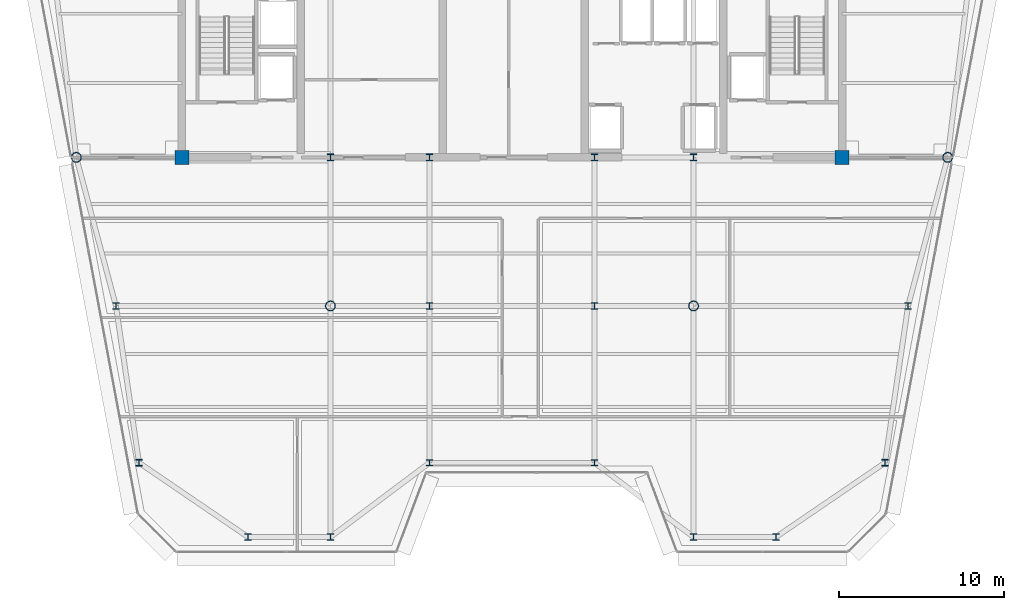
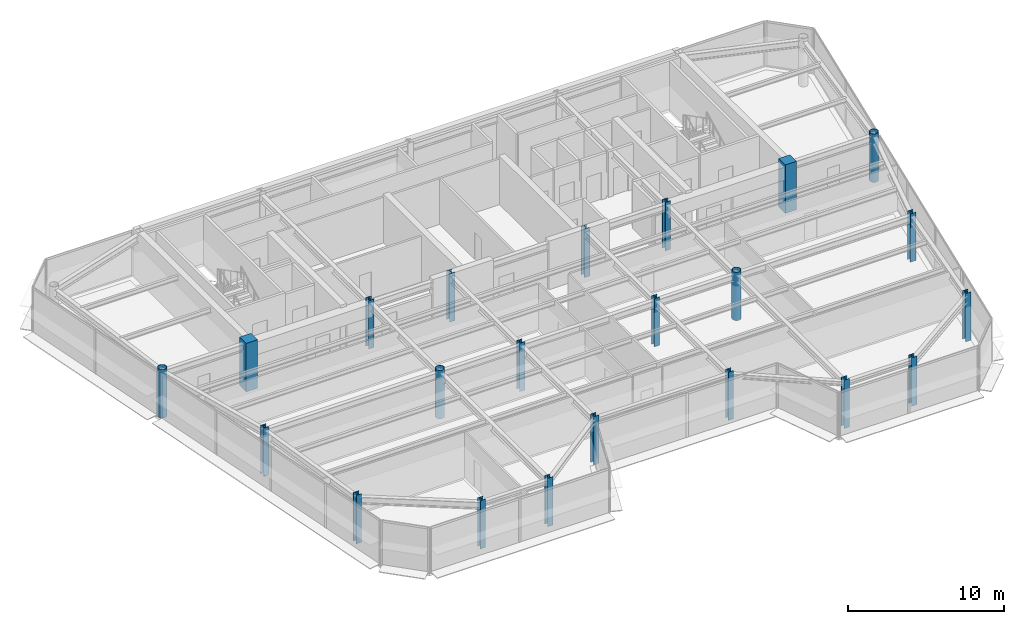
# One storey, part 1 of 19: 22 columns.
"""IFC4 building model written with IfcOpenShell, lengths in metres."""

from ifc_helpers import new_model, si_unit, direction, frame, origin, origin_2d, place, context, subcontext, project, spatial, rectangle, hollow_circle, i_section, extrude, source, transform, mapped, material, material_profile, profile_set, type_object, element, save


model = new_model("IFC4")

# Units and contexts
model_context = context("Model", 3, precision=1e-05, world=origin(), true_north=direction((0.0, 1.0)))
body_context = subcontext(model_context, "Body", "Model", "MODEL_VIEW")
ifc_project = project(units=[si_unit("LENGTHUNIT", "METRE"), si_unit("AREAUNIT", "SQUARE_METRE"), si_unit("VOLUMEUNIT", "CUBIC_METRE"), si_unit("PLANEANGLEUNIT", "RADIAN"), si_unit("MASSUNIT", "GRAM", prefix="KILO")], contexts=[model_context])

# Site, building, storey
site_placement = place(None, origin())
site = spatial("IfcSite", under=ifc_project, at=site_placement, CompositionType="ELEMENT")
building_placement = place(site_placement, origin())
building = spatial("IfcBuilding", under=site, at=building_placement, Name="Vaeldorn Concourse Tower", CompositionType="ELEMENT")
storey_placement = place(building_placement, frame((0.0, 0.0, 272.60009765625)))
storey = spatial("IfcBuildingStorey", under=building, at=storey_placement, Name="L70", CompositionType="ELEMENT", Elevation=272.60009765625)

# Columns
ifc_material_1 = material(Name="Concrete C50/60", Category="concrete")
ifc_material_profile_1 = material_profile(ifc_material_1, rectangle(XDim=0.85009765625, YDim=0.85009765625, at=origin_2d()), Name="RC 850x850")
ifc_profile_set_1 = profile_set([ifc_material_profile_1], Name="Concrete C50/60")
column_type_1 = type_object("IfcColumnType", Name="COL-RC850", PredefinedType="COLUMN", material=ifc_profile_set_1)
shared_shape_1 = source(origin(), body_context, "Body", "SweptSolid", [
    extrude(rectangle(XDim=0.85009765625, YDim=0.85009765625, at=origin_2d()), origin(), (0.0, 0.0, 1.0), 3.7998046875),
])
for number, where, z_axis, x_axis, name in (
    (1, (14.0, 36.5, 0.0), (0.0, 0.0, 1.0), (1.0, 0.0, 0.0), "Column C-FC1 L70"),
    (2, (54.0, 36.5, 0.0), (0.0, 0.0, 1.0), (1.0, 0.0, 0.0), "Column C-FC6 L70"),
):
    element("IfcColumn", number, at=place(storey_placement, frame(where, z_axis=z_axis, x_axis=x_axis)), inside=storey, type_object=column_type_1, Name=name, PredefinedType="COLUMN", context=body_context, shape_type="MappedRepresentation", body=[
        mapped(shared_shape_1, transform((0.0, 0.0, 0.0), scale=1.0)),
    ])
ifc_material_2 = material(Name="Steel S355", Category="steel")
ifc_material_profile_2 = material_profile(ifc_material_2, i_section(OverallWidth=0.406005859375, OverallDepth=0.416015625, WebThickness=0.02978515625, FlangeThickness=0.0419921875, FilletRadius=0.014892578125, at=origin_2d()), Name="HD 400x382")
ifc_profile_set_2 = profile_set([ifc_material_profile_2], Name="Steel S355")
column_type_2 = type_object("IfcColumnType", Name="COL-HD382", PredefinedType="COLUMN", material=ifc_profile_set_2)
shared_shape_2 = source(origin(), body_context, "Body", "SweptSolid", [
    extrude(i_section(OverallWidth=0.406005859375, OverallDepth=0.416015625, WebThickness=0.02978515625, FlangeThickness=0.0419921875, FilletRadius=0.014892578125, at=origin_2d()), origin(), (0.0, 0.0, 1.0), 3.7998046875),
])
for number, where, z_axis, x_axis, name in (
    (3, (23.0, 36.5, 0.0), (0.0, 0.0, 1.0), (1.0, 0.0, 0.0), "Column C-FC2 L70"),
    (4, (29.0, 36.5, 0.0), (0.0, 0.0, 1.0), (1.0, 0.0, 0.0), "Column C-FC3 L70"),
    (5, (39.0, 36.5, 0.0), (0.0, 0.0, 1.0), (1.0, 0.0, 0.0), "Column C-FC4 L70"),
    (6, (45.0, 36.5, 0.0), (0.0, 0.0, 1.0), (1.0, 0.0, 0.0), "Column C-FC5 L70"),
):
    element("IfcColumn", number, at=place(storey_placement, frame(where, z_axis=z_axis, x_axis=x_axis)), inside=storey, type_object=column_type_2, Name=name, PredefinedType="COLUMN", context=body_context, shape_type="MappedRepresentation", body=[
        mapped(shared_shape_2, transform((0.0, 0.0, 0.0), scale=1.0)),
    ])
ifc_material_profile_3 = material_profile(ifc_material_2, hollow_circle(Radius=0.304931640625, WallThickness=0.030029296875, at=origin_2d()), Name="CHS 610x30")
ifc_profile_set_3 = profile_set([ifc_material_profile_3], Name="Steel S355")
column_type_3 = type_object("IfcColumnType", Name="COL-CHS610", PredefinedType="COLUMN", material=ifc_profile_set_3)
shared_shape_3 = source(origin(), body_context, "Body", "SweptSolid", [
    extrude(hollow_circle(Radius=0.304931640625, WallThickness=0.030029296875, at=origin_2d()), origin(), (0.0, 0.0, 1.0), 3.7998046875),
])
for number, where, z_axis, x_axis, name in (
    (7, (7.60009765625, 36.5, 0.0), (0.0, 0.0, 1.0), (1.0, 0.0, 0.0), "Column C-NW2 L70"),
    (8, (60.39990234375, 36.5, 0.0), (0.0, 0.0, 1.0), (1.0, 0.0, 0.0), "Column C-NE2 L70"),
    (9, (23.0, 27.5, 0.0), (0.0, 0.0, 1.0), (1.0, 0.0, 0.0), "Column C-TW1 L70"),
    (10, (45.0, 27.5, 0.0), (0.0, 0.0, 1.0), (1.0, 0.0, 0.0), "Column C-TW4 L70"),
):
    element("IfcColumn", number, at=place(storey_placement, frame(where, z_axis=z_axis, x_axis=x_axis)), inside=storey, type_object=column_type_3, Name=name, PredefinedType="COLUMN", context=body_context, shape_type="MappedRepresentation", body=[
        mapped(shared_shape_3, transform((0.0, 0.0, 0.0), scale=1.0)),
    ])
ifc_material_profile_4 = material_profile(ifc_material_2, i_section(OverallWidth=0.40087890625, OverallDepth=0.39892578125, WebThickness=0.02490234375, FlangeThickness=0.034912109375, FilletRadius=0.014892578125, at=origin_2d()), Name="HD 400x314")
ifc_profile_set_4 = profile_set([ifc_material_profile_4], Name="Steel S355")
column_type_4 = type_object("IfcColumnType", Name="COL-HD314F", PredefinedType="COLUMN", material=ifc_profile_set_4)
shared_shape_4 = source(origin(), body_context, "Body", "SweptSolid", [
    extrude(i_section(OverallWidth=0.40087890625, OverallDepth=0.39892578125, WebThickness=0.02490234375, FlangeThickness=0.034912109375, FilletRadius=0.014892578125, at=origin_2d()), origin(), (0.0, 0.0, 1.0), 3.7998046875),
])
for number, where, z_axis, x_axis, name in (
    (11, (10.0, 27.5, 0.0), (0.0, 0.0, 1.0), (1.0, 0.0, 0.0), "Column C-FLW1 L70"),
    (12, (11.39990234375, 18.0, 0.0), (0.0, 0.0, 1.0), (1.0, 0.0, 0.0), "Column C-FLW2 L70"),
    (13, (58.0, 27.5, 0.0), (0.0, 0.0, 1.0), (1.0, 0.0, 0.0), "Column C-FLE1 L70"),
    (14, (56.60009765625, 18.0, 0.0), (0.0, 0.0, 1.0), (1.0, 0.0, 0.0), "Column C-FLE2 L70"),
):
    element("IfcColumn", number, at=place(storey_placement, frame(where, z_axis=z_axis, x_axis=x_axis)), inside=storey, type_object=column_type_4, Name=name, PredefinedType="COLUMN", context=body_context, shape_type="MappedRepresentation", body=[
        mapped(shared_shape_4, transform((0.0, 0.0, 0.0), scale=1.0)),
    ])
ifc_material_profile_5 = material_profile(ifc_material_2, i_section(OverallWidth=0.39794921875, OverallDepth=0.386962890625, WebThickness=0.0205078125, FlangeThickness=0.029052734375, FilletRadius=0.014892578125, at=origin_2d()), Name="HD 400x262")
ifc_profile_set_5 = profile_set([ifc_material_profile_5], Name="Steel S355")
column_type_5 = type_object("IfcColumnType", Name="COL-HD262T", PredefinedType="COLUMN", material=ifc_profile_set_5)
shared_shape_5 = source(origin(), body_context, "Body", "SweptSolid", [
    extrude(i_section(OverallWidth=0.39794921875, OverallDepth=0.386962890625, WebThickness=0.0205078125, FlangeThickness=0.029052734375, FilletRadius=0.014892578125, at=origin_2d()), origin(), (0.0, 0.0, 1.0), 3.7998046875),
])
for number, where, z_axis, x_axis, name in (
    (15, (29.0, 27.5, 0.0), (0.0, 0.0, 1.0), (1.0, 0.0, 0.0), "Column C-TW2 L70"),
    (16, (39.0, 27.5, 0.0), (0.0, 0.0, 1.0), (1.0, 0.0, 0.0), "Column C-TW3 L70"),
    (17, (18.0, 13.5, 0.0), (0.0, 0.0, 1.0), (1.0, 0.0, 0.0), "Column C-SF1 L70"),
    (18, (23.0, 13.5, 0.0), (0.0, 0.0, 1.0), (1.0, 0.0, 0.0), "Column C-SF2 L70"),
    (19, (29.0, 18.0, 0.0), (0.0, 0.0, 1.0), (1.0, 0.0, 0.0), "Column C-SF3 L70"),
    (20, (39.0, 18.0, 0.0), (0.0, 0.0, 1.0), (1.0, 0.0, 0.0), "Column C-SF4 L70"),
    (21, (45.0, 13.5, 0.0), (0.0, 0.0, 1.0), (1.0, 0.0, 0.0), "Column C-SF5 L70"),
    (22, (50.0, 13.5, 0.0), (0.0, 0.0, 1.0), (1.0, 0.0, 0.0), "Column C-SF6 L70"),
):
    element("IfcColumn", number, at=place(storey_placement, frame(where, z_axis=z_axis, x_axis=x_axis)), inside=storey, type_object=column_type_5, Name=name, PredefinedType="COLUMN", context=body_context, shape_type="MappedRepresentation", body=[
        mapped(shared_shape_5, transform((0.0, 0.0, 0.0), scale=1.0)),
    ])

save(model, "model.ifc")
